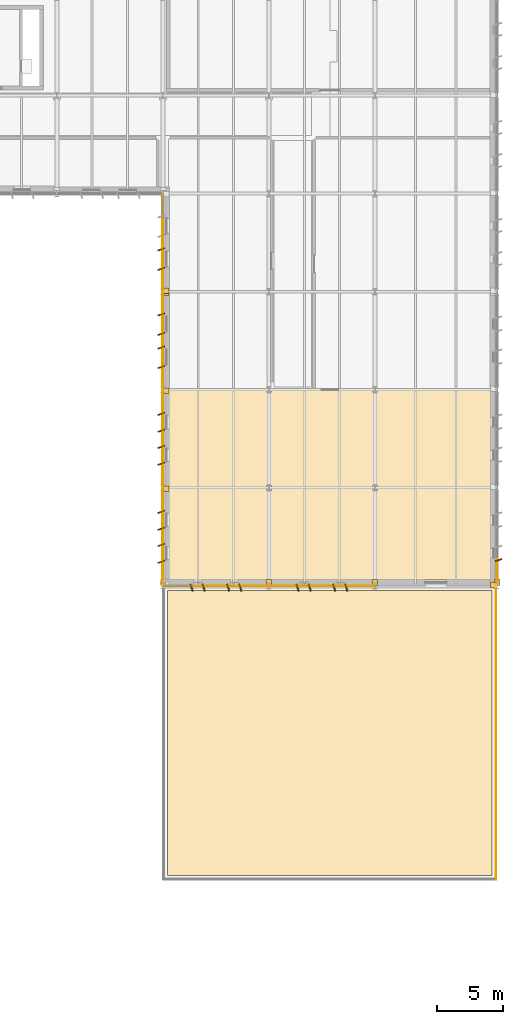
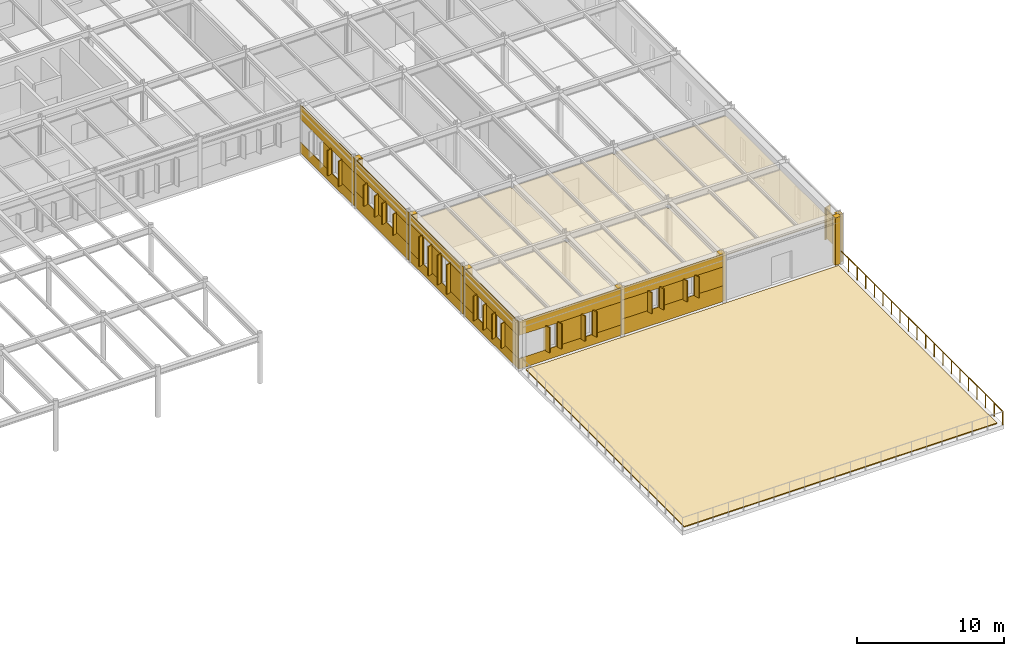
# One storey, part 61 of 63: 62 coverings, 1 railing.
"""IFC4 building model written with IfcOpenShell, lengths in metres."""

import ifcopenshell
import ifcopenshell.guid

model = None  # the IFC model being written
_history = None  # IfcOwnerHistory: only IFC2X3 demands one
_inside = {}  # id of a spatial element -> (the spatial element, [elements in it])
_under = {}  # id of a project, library or spatial element -> (it, [spatial elements below it])
_declared = {}  # id of a project -> (the project, [libraries it declares])
_typed = {}  # id of a type object -> (the type object, [elements of that type])
_made_of = {}  # id of a material, layer set ... -> (it, [elements and type objects made of it])


def new_model(schema):
    """Start an empty IFC model of exactly this schema.

    Asked for "IFC4X3", IfcOpenShell would pick the latest addendum, in which some entities
    have other attributes; the version numbers below select the first issue.
    IFC2X3 requires an IfcOwnerHistory on every rooted entity: one is made here for all.
    """
    global model, _history
    if schema == "IFC4X3":
        model = ifcopenshell.file(schema_version=(4, 3, 0, 0))
    else:
        model = ifcopenshell.file(schema=schema)
    _inside.clear()
    _under.clear()
    _declared.clear()
    _typed.clear()
    _made_of.clear()
    _history = None
    if model.schema == "IFC2X3":
        org = make("IfcOrganization", Name="unknown")
        user = make(
            "IfcPersonAndOrganization",
            ThePerson=make("IfcPerson", FamilyName="unknown"),
            TheOrganization=org,
        )
        app = make(
            "IfcApplication",
            ApplicationDeveloper=org,
            Version="unknown",
            ApplicationFullName="unknown",
            ApplicationIdentifier="unknown",
        )
        _history = make(
            "IfcOwnerHistory",
            OwningUser=user,
            OwningApplication=app,
            ChangeAction="ADDED",
            CreationDate=0,
        )
    return model


def make(cls, **values):
    """One entity of the class cls with the attributes given. An attribute that is None is left unset."""
    return model.create_entity(
        cls, **{name: value for name, value in values.items() if value is not None}
    )


def rooted(cls, **values):
    """An entity with a GlobalId (a new one), such as an element, a storey or a relation."""
    return make(cls, GlobalId=ifcopenshell.guid.new(), OwnerHistory=_history, **values)


def si_unit(unit_type, name, prefix=None):
    """IfcSIUnit, for example si_unit("LENGTHUNIT", "METRE", prefix="MILLI")."""
    return make("IfcSIUnit", UnitType=unit_type, Prefix=prefix, Name=name)


def assignment(units):
    """IfcUnitAssignment: the units of a project."""
    return None if units is None else make("IfcUnitAssignment", Units=units)


def point(xyz):
    """IfcCartesianPoint."""
    return None if xyz is None else make("IfcCartesianPoint", Coordinates=xyz)


def direction(xyz):
    """IfcDirection."""
    return None if xyz is None else make("IfcDirection", DirectionRatios=xyz)


def frame(location, z_axis=None, x_axis=None):
    """IfcAxis2Placement3D, a coordinate frame: its origin and axes. An axis left out is left unset."""
    return make(
        "IfcAxis2Placement3D",
        Location=point(location),
        Axis=direction(z_axis),
        RefDirection=direction(x_axis),
    )


def frame_2d(location, x_axis=None):
    """IfcAxis2Placement2D, a coordinate frame in the plane: its origin and x axis."""
    return make(
        "IfcAxis2Placement2D", Location=point(location), RefDirection=direction(x_axis)
    )


def origin():
    """The frame at (0, 0, 0) with its axes left unset."""
    return frame((0.0, 0.0, 0.0))


def origin_2d():
    """The frame at (0, 0) in the plane with its x axis left unset."""
    return frame_2d((0.0, 0.0))


def place(relative_to, where):
    """IfcLocalPlacement: puts the frame where relative to a parent placement (None: the world)."""
    return make(
        "IfcLocalPlacement", PlacementRelTo=relative_to, RelativePlacement=where
    )


def context(
    kind, dimensions, precision=None, world=None, true_north=None, identifier=None
):
    """IfcGeometricRepresentationContext, for example the 3D "Model" context."""
    return make(
        "IfcGeometricRepresentationContext",
        ContextIdentifier=identifier,
        ContextType=kind,
        CoordinateSpaceDimension=dimensions,
        Precision=precision,
        WorldCoordinateSystem=world,
        TrueNorth=true_north,
    )


def subcontext(parent, identifier, kind, view, scale=None):
    """IfcGeometricRepresentationSubContext, for example "Body" below "Model"."""
    return make(
        "IfcGeometricRepresentationSubContext",
        ContextIdentifier=identifier,
        ContextType=kind,
        ParentContext=parent,
        TargetScale=scale,
        TargetView=view,
    )


def project(units=None, contexts=None):
    """IfcProject with its units and contexts."""
    return rooted(
        "IfcProject",
        Name="project",
        RepresentationContexts=contexts,
        UnitsInContext=assignment(units),
    )


def spatial(cls, under=None, at=None, **own):
    """A site, building, storey or space (cls), placed at a placement, below another one or the project."""
    s = rooted(cls, ObjectPlacement=at, **own)
    if under is not None:
        _under.setdefault(under.id(), (under, []))[1].append(s)
    return s


def polyline(points):
    """IfcPolyline through the points."""
    return make("IfcPolyline", Points=[point(p) for p in points])


def profile(cls, at=None, kind="AREA", **sizes):
    """A parametric profile (cls). Its sizes go by their IFC names, for example OverallWidth=200.0."""
    return make(cls, ProfileType=kind, Position=at, **sizes)


def rectangle(**sizes):
    """IfcRectangleProfileDef."""
    return profile("IfcRectangleProfileDef", **sizes)


def circle(**sizes):
    """IfcCircleProfileDef."""
    return profile("IfcCircleProfileDef", **sizes)


def outline(outer, holes=None, kind="AREA"):
    """IfcArbitraryClosedProfileDef: a profile drawn as a closed curve; with holes, ...WithVoids."""
    if holes is None:
        return make("IfcArbitraryClosedProfileDef", ProfileType=kind, OuterCurve=outer)
    return make(
        "IfcArbitraryProfileDefWithVoids",
        ProfileType=kind,
        OuterCurve=outer,
        InnerCurves=holes,
    )


def extrude(swept, where, along, depth):
    """IfcExtrudedAreaSolid: the profile swept, set in the frame where, extruded along a direction by depth."""
    return make(
        "IfcExtrudedAreaSolid",
        SweptArea=swept,
        Position=where,
        ExtrudedDirection=direction(along),
        Depth=depth,
    )


def shape(context_of_items, identifier, shape_type, items):
    """IfcShapeRepresentation: the items that make up one representation, for example the "Body"."""
    return make(
        "IfcShapeRepresentation",
        ContextOfItems=context_of_items,
        RepresentationIdentifier=identifier,
        RepresentationType=shape_type,
        Items=items,
    )


def material(Name=None, Category=None):
    """IfcMaterial."""
    return make("IfcMaterial", Name=Name, Category=Category)


def layer(
    of_material, thickness, ventilated=None, Name=None, Category=None, Priority=None
):
    """IfcMaterialLayer: one layer of a wall or slab, of a material (None: an air gap)."""
    return make(
        "IfcMaterialLayer",
        Material=of_material,
        LayerThickness=thickness,
        IsVentilated=ventilated,
        Name=Name,
        Category=Category,
        Priority=Priority,
    )


def layer_set(layers, Name=None):
    """IfcMaterialLayerSet."""
    return make("IfcMaterialLayerSet", MaterialLayers=layers, LayerSetName=Name)


def made_of(thing, what):
    """Note that an element or type object is made of a material, layer set ...; save() writes the relation."""
    if what is not None:
        _made_of.setdefault(what.id(), (what, []))[1].append(thing)
    return thing


def type_object(cls, material=None, **own):
    """A type object (cls), such as IfcWallType, which elements share."""
    return made_of(rooted(cls, **own), material)


def element(
    cls,
    number,
    at=None,
    inside=None,
    cuts=None,
    type_object=None,
    material=None,
    context=None,
    identifier="Body",
    shape_type=None,
    held_by="IfcProductDefinitionShape",
    body=None,
    shapes=None,
    **own,
):
    """One element of the class cls, such as IfcWall. Its Tag is "e" and its number.

    at: its placement. inside: the storey or other place that contains it. cuts: it is an
    opening in that element (IfcRelVoidsElement). A single representation is given by context,
    identifier, shape_type and body (its items); several are given by shapes. held_by: the class
    of the entity that holds the representations. save() writes the other relations.
    """
    e = rooted(cls, Tag="e%d" % number, ObjectPlacement=at, **own)
    if body is not None:
        shapes = [shape(context, identifier, shape_type, body)]
    if shapes is not None:
        e.Representation = make(held_by, Representations=shapes)
    if inside is not None:
        _inside.setdefault(inside.id(), (inside, []))[1].append(e)
    if cuts is not None:
        rooted(
            "IfcRelVoidsElement", RelatingBuildingElement=cuts, RelatedOpeningElement=e
        )
    if type_object is not None:
        _typed.setdefault(type_object.id(), (type_object, []))[1].append(e)
    return made_of(e, material)


def aggregate(whole, parts):
    """IfcRelAggregates: a whole, such as a stair, and the parts it consists of."""
    return rooted("IfcRelAggregates", RelatingObject=whole, RelatedObjects=parts)


def save(model, path):
    """Write the relations noted so far, then the file.

    IfcRelAggregates (storeys below a building ...), IfcRelContainedInSpatialStructure (elements
    in a storey), IfcRelDefinesByType, IfcRelAssociatesMaterial and IfcRelDeclares: one each for
    every whole, place, type object, material and project.
    """
    for whole, parts in _under.values():
        aggregate(whole, parts)
    for where, things in _inside.values():
        rooted(
            "IfcRelContainedInSpatialStructure",
            RelatedElements=things,
            RelatingStructure=where,
        )
    for kind, things in _typed.values():
        rooted("IfcRelDefinesByType", RelatedObjects=things, RelatingType=kind)
    for what, things in _made_of.values():
        rooted("IfcRelAssociatesMaterial", RelatedObjects=things, RelatingMaterial=what)
    for by, libraries in _declared.values():
        rooted("IfcRelDeclares", RelatingContext=by, RelatedDefinitions=libraries)
    model.write(path)


model = new_model("IFC4")

# Units and contexts
model_context = context("Model", 3, precision=1e-05, world=origin(), true_north=direction((0.0, 1.0)))
body_context = subcontext(model_context, "Body", "Model", "MODEL_VIEW")
ifc_project = project(units=[si_unit("LENGTHUNIT", "METRE"), si_unit("AREAUNIT", "SQUARE_METRE"), si_unit("VOLUMEUNIT", "CUBIC_METRE"), si_unit("PLANEANGLEUNIT", "RADIAN"), si_unit("MASSUNIT", "GRAM", prefix="KILO")], contexts=[model_context])

# Site, building, storey
site_placement = place(None, origin())
site = spatial("IfcSite", under=ifc_project, at=site_placement, CompositionType="ELEMENT")
building_placement = place(site_placement, origin())
building = spatial("IfcBuilding", under=site, at=building_placement, Name="Valkorina Park Police Headquarters", CompositionType="ELEMENT")
storey_placement = place(building_placement, frame((0.0, 0.0, 9.89990234375)))
storey = spatial("IfcBuildingStorey", under=building, at=storey_placement, Name="L03", CompositionType="ELEMENT", Elevation=9.89990234375)

# Coverings
ifc_material_1 = material(Name="Acoustic mineral board")
ifc_layer_1 = layer(ifc_material_1, 0.02490234375)
ifc_layer_set_1 = layer_set([ifc_layer_1], Name="Acoustic mineral board")
covering_type_1 = type_object("IfcCoveringType", Name="COV-CEILING-ACOUST", PredefinedType="CEILING", material=ifc_layer_set_1)
covering_1_placement = place(storey_placement, frame((0.0, 0.0, 3.34521484375)))
element("IfcCovering", 1, at=covering_1_placement, inside=storey, type_object=covering_type_1, Name="QAS Pre-PCR DNA Extraction Clean Lab Acoustic Suspended Ceiling", PredefinedType="CEILING", context=body_context, shape_type="SweptSolid", body=[
    extrude(outline(polyline([(161.55859375, 30.1044921875), (161.5595703125, 30.1123046875), (161.56005859375, 30.1201171875), (161.56005859375, 44.280029296875), (161.5595703125, 44.287841796875), (161.55859375, 44.295654296875), (161.556640625, 44.30322265625), (161.553955078125, 44.310546875), (161.550537109375, 44.317626953125), (161.54638671875, 44.324462890625), (161.541748046875, 44.330810546875), (161.53662109375, 44.336669921875), (161.53076171875, 44.341796875), (161.5244140625, 44.346435546875), (161.517578125, 44.3505859375), (161.510498046875, 44.35400390625), (161.503173828125, 44.356689453125), (161.49560546875, 44.3583984375), (161.48779296875, 44.359619140625), (161.47998046875, 44.360107421875), (152.989990234375, 44.360107421875), (152.982177734375, 44.359619140625), (152.974365234375, 44.3583984375), (152.966796875, 44.356689453125), (152.95947265625, 44.35400390625), (152.952392578125, 44.3505859375), (152.949951171875, 44.34912109375), (152.949951171875, 44.175048828125), (152.64990234375, 44.175048828125), (152.64990234375, 44.34912109375), (152.647705078125, 44.3505859375), (152.640625, 44.35400390625), (152.63330078125, 44.356689453125), (152.62548828125, 44.3583984375), (152.617919921875, 44.359619140625), (152.610107421875, 44.360107421875), (144.989990234375, 44.360107421875), (144.982177734375, 44.359619140625), (144.974365234375, 44.3583984375), (144.966796875, 44.356689453125), (144.95947265625, 44.35400390625), (144.952392578125, 44.3505859375), (144.949951171875, 44.34912109375), (144.949951171875, 44.175048828125), (144.64990234375, 44.175048828125), (144.64990234375, 44.34912109375), (144.647705078125, 44.3505859375), (144.640625, 44.35400390625), (144.63330078125, 44.356689453125), (144.62548828125, 44.3583984375), (144.617919921875, 44.359619140625), (144.610107421875, 44.360107421875), (137.320068359375, 44.360107421875), (137.312255859375, 44.359619140625), (137.304443359375, 44.3583984375), (137.296875, 44.356689453125), (137.289306640625, 44.35400390625), (137.2822265625, 44.3505859375), (137.275634765625, 44.346435546875), (137.269287109375, 44.341796875), (137.263427734375, 44.336669921875), (137.25830078125, 44.330810546875), (137.25341796875, 44.324462890625), (137.24951171875, 44.317626953125), (137.24609375, 44.310546875), (137.243408203125, 44.30322265625), (137.241455078125, 44.295654296875), (137.240478515625, 44.287841796875), (137.239990234375, 44.280029296875), (137.239990234375, 30.1201171875), (137.240478515625, 30.1123046875), (137.241455078125, 30.1044921875), (137.243408203125, 30.0966796875), (137.24609375, 30.08935546875), (137.24951171875, 30.082275390625), (137.25341796875, 30.07568359375), (137.25830078125, 30.069091796875), (137.263427734375, 30.0634765625), (137.269287109375, 30.05810546875), (137.275634765625, 30.053466796875), (137.2822265625, 30.04931640625), (137.289306640625, 30.046142578125), (137.296875, 30.04345703125), (137.304443359375, 30.04150390625), (137.312255859375, 30.040283203125), (137.320068359375, 30.0400390625), (161.47998046875, 30.0400390625), (161.48779296875, 30.040283203125), (161.49560546875, 30.04150390625), (161.503173828125, 30.04345703125), (161.510498046875, 30.046142578125), (161.517578125, 30.04931640625), (161.5244140625, 30.053466796875), (161.53076171875, 30.05810546875), (161.53662109375, 30.0634765625), (161.541748046875, 30.069091796875), (161.54638671875, 30.07568359375), (161.550537109375, 30.082275390625), (161.553955078125, 30.08935546875), (161.556640625, 30.0966796875), (161.55859375, 30.1044921875)]), holes=[polyline([(152.949951171875, 37.22509765625), (152.949951171875, 36.77490234375), (152.64990234375, 36.77490234375), (152.64990234375, 37.22509765625), (152.949951171875, 37.22509765625)]), polyline([(144.949951171875, 37.22509765625), (144.949951171875, 36.77490234375), (144.64990234375, 36.77490234375), (144.64990234375, 37.22509765625), (144.949951171875, 37.22509765625)])]), origin(), (0.0, 0.0, 1.0), 0.02490234375),
])
ifc_material_2 = material(Name="Precast concrete C40/50", Category="concrete")
ifc_layer_2 = layer(ifc_material_2, 0.044921875)
ifc_layer_set_2 = layer_set([ifc_layer_2], Name="Precast concrete C40/50")
covering_type_2 = type_object("IfcCoveringType", Name="COV-CLAD-DOLOMITE", PredefinedType="CLADDING", material=ifc_layer_set_2)
covering_2_placement = place(storey_placement, frame((161.75, 29.6650390625, 0.000244140625), z_axis=(0.0, 0.0, 1.0), x_axis=(0.0, 1.0, 0.0)))
element("IfcCovering", 2, at=covering_2_placement, inside=storey, type_object=covering_type_2, Name="L03 Exterior Joint Closure Pilaster B 1969", PredefinedType="CLADDING", context=body_context, shape_type="SweptSolid", body=[
    extrude(rectangle(XDim=0.419921875, YDim=0.449951171875, at=origin_2d()), origin(), (0.0, 0.0, 1.0), 3.919921875),
])
covering_3_placement = place(storey_placement, frame((162.1201171875, 31.54248046875, 0.7802734375), z_axis=(0.0, 0.0, 1.0), x_axis=(0.948323655206, 0.317304656405, 0.0)))
element("IfcCovering", 3, at=covering_3_placement, inside=storey, type_object=covering_type_2, Name="Slanted 18.5-deg Precast Window Slot Fin 1973", PredefinedType="CLADDING", context=body_context, shape_type="SweptSolid", body=[
    extrude(rectangle(XDim=0.5400390625, YDim=0.090087890625, at=origin_2d()), origin(), (0.0, 0.0, 1.0), 2.639892578125),
])
covering_4_placement = place(storey_placement, frame((162.014892578125, 31.652587890625, 0.8701171875), z_axis=(0.0, 0.0, 1.0), x_axis=(0.0, -1.0, 0.0)))
element("IfcCovering", 4, at=covering_4_placement, inside=storey, type_object=covering_type_2, Name="L03 Calm Concrete Base Slot Pier 1978", PredefinedType="CLADDING", context=body_context, shape_type="SweptSolid", body=[
    extrude(rectangle(XDim=2.032470703125, YDim=0.044921875, at=frame_2d((1.01611328125, 0.0))), origin(), (0.0, 0.0, 1.0), 2.4599609375),
])
for number, where, z_axis, x_axis, name in (
    (5, (162.010009765625, 29.85009765625, 0.000244140625), (0.0, 0.0, 1.0), (1.0, 0.0, 0.0), "L03 Exterior Joint Closure Pilaster A 1979"),
    (6, (152.7900390625, 29.85009765625, 0.000244140625), (0.0, 0.0, 1.0), (1.0, 0.0, 0.0), "L03 Exterior Joint Closure Pilaster B 1980"),
    (7, (144.7900390625, 29.85009765625, 0.000244140625), (0.0, 0.0, 1.0), (1.0, 0.0, 0.0), "L03 Exterior Joint Closure Pilaster B 1981"),
):
    element("IfcCovering", number, at=place(storey_placement, frame(where, z_axis=z_axis, x_axis=x_axis)), inside=storey, type_object=covering_type_2, Name=name, PredefinedType="CLADDING", context=body_context, shape_type="SweptSolid", body=[
        extrude(rectangle(XDim=0.419921875, YDim=0.449951171875, at=origin_2d()), origin(), (0.0, 0.0, 1.0), 3.919921875),
    ])
for number, where, z_axis, x_axis, name in (
    (8, (150.642333984375, 29.47998046875, 1.22998046875), (0.0, 0.0, 1.0), (0.317304656405, -0.948323655206, 0.0), "Slanted 18.5-deg Precast Window Slot Fin 1982"),
    (9, (149.722412109375, 29.47998046875, 1.22998046875), (0.0, 0.0, 1.0), (0.317304656405, -0.948323655206, 0.0), "Slanted 18.5-deg Precast Window Slot Fin 1983"),
    (10, (147.877685546875, 29.47998046875, 1.22998046875), (0.0, 0.0, 1.0), (0.317304656405, -0.948323655206, 0.0), "Slanted 18.5-deg Precast Window Slot Fin 1984"),
    (11, (146.95751953125, 29.47998046875, 1.22998046875), (0.0, 0.0, 1.0), (0.317304656405, -0.948323655206, 0.0), "Slanted 18.5-deg Precast Window Slot Fin 1985"),
):
    element("IfcCovering", number, at=place(storey_placement, frame(where, z_axis=z_axis, x_axis=x_axis)), inside=storey, type_object=covering_type_2, Name=name, PredefinedType="CLADDING", context=body_context, shape_type="SweptSolid", body=[
        extrude(rectangle(XDim=0.5400390625, YDim=0.090087890625, at=origin_2d()), origin(), (0.0, 0.0, 1.0), 1.739990234375),
    ])
covering_5_placement = place(storey_placement, frame((152.780029296875, 29.5849609375, 0.0), z_axis=(0.0, 0.0, 1.0), x_axis=(-1.0, 0.0, 0.0)))
element("IfcCovering", 12, at=covering_5_placement, inside=storey, type_object=covering_type_2, Name="L03 Calm Concrete Base Sill Spandrel 1986", PredefinedType="CLADDING", context=body_context, shape_type="SweptSolid", body=[
    extrude(rectangle(XDim=7.9599609375, YDim=0.044921875, at=frame_2d((3.97998046875, 0.0))), origin(), (0.0, 0.0, 1.0), 1.320068359375),
])
covering_6_placement = place(storey_placement, frame((152.780029296875, 29.5849609375, 2.880126953125), z_axis=(0.0, 0.0, 1.0), x_axis=(-1.0, 0.0, 0.0)))
element("IfcCovering", 13, at=covering_6_placement, inside=storey, type_object=covering_type_2, Name="L03 Calm Concrete Base Lintel Spandrel 1987", PredefinedType="CLADDING", context=body_context, shape_type="SweptSolid", body=[
    extrude(rectangle(XDim=7.9599609375, YDim=0.044921875, at=frame_2d((3.97998046875, 0.0))), origin(), (0.0, 0.0, 1.0), 1.0400390625),
])
covering_7_placement = place(storey_placement, frame((152.780029296875, 29.5849609375, 1.320068359375), z_axis=(0.0, 0.0, 1.0), x_axis=(-1.0, 0.0, 0.0)))
element("IfcCovering", 14, at=covering_7_placement, inside=storey, type_object=covering_type_2, Name="L03 Calm Concrete Base Slot Pier 1988", PredefinedType="CLADDING", context=body_context, shape_type="SweptSolid", body=[
    extrude(rectangle(XDim=2.24755859375, YDim=0.044921875, at=frame_2d((1.123779296875, 0.0))), origin(), (0.0, 0.0, 1.0), 1.56005859375),
])
covering_8_placement = place(storey_placement, frame((149.83251953125, 29.5849609375, 1.320068359375), z_axis=(0.0, 0.0, 1.0), x_axis=(-1.0, 0.0, 0.0)))
element("IfcCovering", 15, at=covering_8_placement, inside=storey, type_object=covering_type_2, Name="L03 Calm Concrete Base Slot Pier 1989", PredefinedType="CLADDING", context=body_context, shape_type="SweptSolid", body=[
    extrude(rectangle(XDim=2.06494140625, YDim=0.044921875, at=frame_2d((1.032470703125, 0.0))), origin(), (0.0, 0.0, 1.0), 1.56005859375),
])
covering_9_placement = place(storey_placement, frame((147.067626953125, 29.5849609375, 1.320068359375), z_axis=(0.0, 0.0, 1.0), x_axis=(-1.0, 0.0, 0.0)))
element("IfcCovering", 16, at=covering_9_placement, inside=storey, type_object=covering_type_2, Name="L03 Calm Concrete Base Slot Pier 1990", PredefinedType="CLADDING", context=body_context, shape_type="SweptSolid", body=[
    extrude(rectangle(XDim=2.24755859375, YDim=0.044921875, at=frame_2d((1.123779296875, 0.0))), origin(), (0.0, 0.0, 1.0), 1.56005859375),
])
for number, where, z_axis, x_axis, name in (
    (17, (142.642333984375, 29.47998046875, 0.7802734375), (0.0, 0.0, 1.0), (0.317304656405, -0.948323655206, 0.0), "Slanted 18.5-deg Precast Window Slot Fin 1992"),
    (18, (141.722412109375, 29.47998046875, 0.7802734375), (0.0, 0.0, 1.0), (0.317304656405, -0.948323655206, 0.0), "Slanted 18.5-deg Precast Window Slot Fin 1993"),
    (19, (139.877685546875, 29.47998046875, 0.7802734375), (0.0, 0.0, 1.0), (0.317304656405, -0.948323655206, 0.0), "Slanted 18.5-deg Precast Window Slot Fin 1994"),
    (20, (138.95751953125, 29.47998046875, 0.7802734375), (0.0, 0.0, 1.0), (0.317304656405, -0.948323655206, 0.0), "Slanted 18.5-deg Precast Window Slot Fin 1995"),
):
    element("IfcCovering", number, at=place(storey_placement, frame(where, z_axis=z_axis, x_axis=x_axis)), inside=storey, type_object=covering_type_2, Name=name, PredefinedType="CLADDING", context=body_context, shape_type="SweptSolid", body=[
        extrude(rectangle(XDim=0.5400390625, YDim=0.090087890625, at=origin_2d()), origin(), (0.0, 0.0, 1.0), 2.090087890625),
    ])
covering_10_placement = place(storey_placement, frame((144.780029296875, 29.5849609375, 0.0), z_axis=(0.0, 0.0, 1.0), x_axis=(-1.0, 0.0, 0.0)))
element("IfcCovering", 21, at=covering_10_placement, inside=storey, type_object=covering_type_2, Name="L03 Calm Concrete Base Sill Spandrel 1996", PredefinedType="CLADDING", context=body_context, shape_type="SweptSolid", body=[
    extrude(rectangle(XDim=7.9599609375, YDim=0.044921875, at=frame_2d((3.97998046875, 0.0))), origin(), (0.0, 0.0, 1.0), 0.8701171875),
])
covering_11_placement = place(storey_placement, frame((144.780029296875, 29.5849609375, 2.780029296875), z_axis=(0.0, 0.0, 1.0), x_axis=(-1.0, 0.0, 0.0)))
element("IfcCovering", 22, at=covering_11_placement, inside=storey, type_object=covering_type_2, Name="L03 Calm Concrete Base Lintel Spandrel 1997", PredefinedType="CLADDING", context=body_context, shape_type="SweptSolid", body=[
    extrude(rectangle(XDim=7.9599609375, YDim=0.044921875, at=frame_2d((3.97998046875, 0.0))), origin(), (0.0, 0.0, 1.0), 1.14013671875),
])
covering_12_placement = place(storey_placement, frame((144.780029296875, 29.5849609375, 0.8701171875), z_axis=(0.0, 0.0, 1.0), x_axis=(-1.0, 0.0, 0.0)))
element("IfcCovering", 23, at=covering_12_placement, inside=storey, type_object=covering_type_2, Name="L03 Calm Concrete Base Slot Pier 1998", PredefinedType="CLADDING", context=body_context, shape_type="SweptSolid", body=[
    extrude(rectangle(XDim=2.24755859375, YDim=0.044921875, at=frame_2d((1.123779296875, 0.0))), origin(), (0.0, 0.0, 1.0), 1.909912109375),
])
covering_13_placement = place(storey_placement, frame((141.83251953125, 29.5849609375, 0.8701171875), z_axis=(0.0, 0.0, 1.0), x_axis=(-1.0, 0.0, 0.0)))
element("IfcCovering", 24, at=covering_13_placement, inside=storey, type_object=covering_type_2, Name="L03 Calm Concrete Base Slot Pier 1999", PredefinedType="CLADDING", context=body_context, shape_type="SweptSolid", body=[
    extrude(rectangle(XDim=2.06494140625, YDim=0.044921875, at=frame_2d((1.032470703125, 0.0))), origin(), (0.0, 0.0, 1.0), 1.909912109375),
])
covering_14_placement = place(storey_placement, frame((137.050048828125, 36.93505859375, 0.000244140625), z_axis=(0.0, 0.0, 1.0), x_axis=(0.0, 1.0, 0.0)))
element("IfcCovering", 25, at=covering_14_placement, inside=storey, type_object=covering_type_2, Name="L03 Exterior Joint Closure Pilaster B 2002", PredefinedType="CLADDING", context=body_context, shape_type="SweptSolid", body=[
    extrude(rectangle(XDim=0.419921875, YDim=0.449951171875, at=origin_2d()), origin(), (0.0, 0.0, 1.0), 3.919921875),
])
for number, where, z_axis, x_axis, name in (
    (26, (136.679931640625, 31.41748046875, 0.780029296875), (0.0, 0.0, 1.0), (-0.948323655206, -0.317304656405, 0.0), "Slanted 18.5-deg Precast Window Slot Fin 2003"),
    (27, (136.679931640625, 32.6875, 0.780029296875), (0.0, 0.0, 1.0), (-0.948323655206, -0.317304656405, 0.0), "Slanted 18.5-deg Precast Window Slot Fin 2004"),
    (28, (136.679931640625, 33.912353515625, 0.780029296875), (0.0, 0.0, 1.0), (-0.948323655206, -0.317304656405, 0.0), "Slanted 18.5-deg Precast Window Slot Fin 2005"),
    (29, (136.679931640625, 35.182373046875, 0.780029296875), (0.0, 0.0, 1.0), (-0.948323655206, -0.317304656405, 0.0), "Slanted 18.5-deg Precast Window Slot Fin 2006"),
):
    element("IfcCovering", number, at=place(storey_placement, frame(where, z_axis=z_axis, x_axis=x_axis)), inside=storey, type_object=covering_type_2, Name=name, PredefinedType="CLADDING", context=body_context, shape_type="SweptSolid", body=[
        extrude(rectangle(XDim=0.5400390625, YDim=0.090087890625, at=origin_2d()), origin(), (0.0, 0.0, 1.0), 2.0400390625),
    ])
covering_15_placement = place(storey_placement, frame((136.784912109375, 29.6201171875, 0.0), z_axis=(0.0, 0.0, 1.0), x_axis=(0.0, 1.0, 0.0)))
element("IfcCovering", 30, at=covering_15_placement, inside=storey, type_object=covering_type_2, Name="L03 Calm Concrete Base Sill Spandrel 2007", PredefinedType="CLADDING", context=body_context, shape_type="SweptSolid", body=[
    extrude(rectangle(XDim=7.35986328125, YDim=0.044921875, at=frame_2d((3.679931640625, 0.0))), origin(), (0.0, 0.0, 1.0), 0.8701171875),
])
covering_16_placement = place(storey_placement, frame((136.784912109375, 29.6201171875, 2.72998046875), z_axis=(0.0, 0.0, 1.0), x_axis=(0.0, 1.0, 0.0)))
element("IfcCovering", 31, at=covering_16_placement, inside=storey, type_object=covering_type_2, Name="L03 Calm Concrete Base Lintel Spandrel 2008", PredefinedType="CLADDING", context=body_context, shape_type="SweptSolid", body=[
    extrude(rectangle(XDim=7.35986328125, YDim=0.044921875, at=frame_2d((3.679931640625, 0.0))), origin(), (0.0, 0.0, 1.0), 1.190185546875),
])
covering_17_placement = place(storey_placement, frame((136.784912109375, 29.6201171875, 0.8701171875), z_axis=(0.0, 0.0, 1.0), x_axis=(0.0, 1.0, 0.0)))
element("IfcCovering", 32, at=covering_17_placement, inside=storey, type_object=covering_type_2, Name="L03 Calm Concrete Base Slot Pier 2009", PredefinedType="CLADDING", context=body_context, shape_type="SweptSolid", body=[
    extrude(rectangle(XDim=1.907470703125, YDim=0.044921875, at=frame_2d((0.95361328125, 0.0))), origin(), (0.0, 0.0, 1.0), 1.85986328125),
])
covering_18_placement = place(storey_placement, frame((136.784912109375, 32.57763671875, 0.8701171875), z_axis=(0.0, 0.0, 1.0), x_axis=(0.0, 1.0, 0.0)))
element("IfcCovering", 33, at=covering_18_placement, inside=storey, type_object=covering_type_2, Name="L03 Calm Concrete Base Slot Pier 2010", PredefinedType="CLADDING", context=body_context, shape_type="SweptSolid", body=[
    extrude(rectangle(XDim=1.44482421875, YDim=0.044921875, at=frame_2d((0.722412109375, 0.0))), origin(), (0.0, 0.0, 1.0), 1.85986328125),
])
covering_19_placement = place(storey_placement, frame((136.784912109375, 35.072509765625, 0.8701171875), z_axis=(0.0, 0.0, 1.0), x_axis=(0.0, 1.0, 0.0)))
element("IfcCovering", 34, at=covering_19_placement, inside=storey, type_object=covering_type_2, Name="L03 Calm Concrete Base Slot Pier 2011", PredefinedType="CLADDING", context=body_context, shape_type="SweptSolid", body=[
    extrude(rectangle(XDim=1.907470703125, YDim=0.044921875, at=frame_2d((0.95361328125, 0.0))), origin(), (0.0, 0.0, 1.0), 1.85986328125),
])
covering_20_placement = place(storey_placement, frame((137.050048828125, 44.3349609375, 0.000244140625), z_axis=(0.0, 0.0, 1.0), x_axis=(0.0, 1.0, 0.0)))
element("IfcCovering", 35, at=covering_20_placement, inside=storey, type_object=covering_type_2, Name="L03 Exterior Joint Closure Pilaster B 2012", PredefinedType="CLADDING", context=body_context, shape_type="SweptSolid", body=[
    extrude(rectangle(XDim=0.419921875, YDim=0.449951171875, at=origin_2d()), origin(), (0.0, 0.0, 1.0), 3.919921875),
])
for number, where, z_axis, x_axis, name in (
    (36, (136.679931640625, 38.817626953125, 0.780029296875), (0.0, 0.0, 1.0), (-0.948323655206, -0.317304656405, 0.0), "Slanted 18.5-deg Precast Window Slot Fin 2013"),
    (37, (136.679931640625, 40.087646484375, 0.780029296875), (0.0, 0.0, 1.0), (-0.948323655206, -0.317304656405, 0.0), "Slanted 18.5-deg Precast Window Slot Fin 2014"),
    (38, (136.679931640625, 41.3125, 0.780029296875), (0.0, 0.0, 1.0), (-0.948323655206, -0.317304656405, 0.0), "Slanted 18.5-deg Precast Window Slot Fin 2015"),
    (39, (136.679931640625, 42.58251953125, 0.780029296875), (0.0, 0.0, 1.0), (-0.948323655206, -0.317304656405, 0.0), "Slanted 18.5-deg Precast Window Slot Fin 2016"),
):
    element("IfcCovering", number, at=place(storey_placement, frame(where, z_axis=z_axis, x_axis=x_axis)), inside=storey, type_object=covering_type_2, Name=name, PredefinedType="CLADDING", context=body_context, shape_type="SweptSolid", body=[
        extrude(rectangle(XDim=0.5400390625, YDim=0.090087890625, at=origin_2d()), origin(), (0.0, 0.0, 1.0), 2.43994140625),
    ])
covering_21_placement = place(storey_placement, frame((136.784912109375, 37.02001953125, 0.0), z_axis=(0.0, 0.0, 1.0), x_axis=(0.0, 1.0, 0.0)))
element("IfcCovering", 40, at=covering_21_placement, inside=storey, type_object=covering_type_2, Name="L03 Calm Concrete Base Sill Spandrel 2017", PredefinedType="CLADDING", context=body_context, shape_type="SweptSolid", body=[
    extrude(rectangle(XDim=7.35986328125, YDim=0.044921875, at=frame_2d((3.679931640625, 0.0))), origin(), (0.0, 0.0, 1.0), 0.8701171875),
])
covering_22_placement = place(storey_placement, frame((136.784912109375, 37.02001953125, 3.130126953125), z_axis=(0.0, 0.0, 1.0), x_axis=(0.0, 1.0, 0.0)))
element("IfcCovering", 41, at=covering_22_placement, inside=storey, type_object=covering_type_2, Name="L03 Calm Concrete Base Lintel Spandrel 2018", PredefinedType="CLADDING", context=body_context, shape_type="SweptSolid", body=[
    extrude(rectangle(XDim=7.35986328125, YDim=0.044921875, at=frame_2d((3.679931640625, 0.0))), origin(), (0.0, 0.0, 1.0), 0.7900390625),
])
covering_23_placement = place(storey_placement, frame((136.784912109375, 37.02001953125, 0.8701171875), z_axis=(0.0, 0.0, 1.0), x_axis=(0.0, 1.0, 0.0)))
element("IfcCovering", 42, at=covering_23_placement, inside=storey, type_object=covering_type_2, Name="L03 Calm Concrete Base Slot Pier 2019", PredefinedType="CLADDING", context=body_context, shape_type="SweptSolid", body=[
    extrude(rectangle(XDim=1.907470703125, YDim=0.044921875, at=frame_2d((0.95361328125, 0.0))), origin(), (0.0, 0.0, 1.0), 2.260009765625),
])
covering_24_placement = place(storey_placement, frame((136.784912109375, 39.9775390625, 0.8701171875), z_axis=(0.0, 0.0, 1.0), x_axis=(0.0, 1.0, 0.0)))
element("IfcCovering", 43, at=covering_24_placement, inside=storey, type_object=covering_type_2, Name="L03 Calm Concrete Base Slot Pier 2020", PredefinedType="CLADDING", context=body_context, shape_type="SweptSolid", body=[
    extrude(rectangle(XDim=1.44482421875, YDim=0.044921875, at=frame_2d((0.722412109375, 0.0))), origin(), (0.0, 0.0, 1.0), 2.260009765625),
])
covering_25_placement = place(storey_placement, frame((136.784912109375, 42.472412109375, 0.8701171875), z_axis=(0.0, 0.0, 1.0), x_axis=(0.0, 1.0, 0.0)))
element("IfcCovering", 44, at=covering_25_placement, inside=storey, type_object=covering_type_2, Name="L03 Calm Concrete Base Slot Pier 2021", PredefinedType="CLADDING", context=body_context, shape_type="SweptSolid", body=[
    extrude(rectangle(XDim=1.907470703125, YDim=0.044921875, at=frame_2d((0.95361328125, 0.0))), origin(), (0.0, 0.0, 1.0), 2.260009765625),
])
covering_26_placement = place(storey_placement, frame((137.050048828125, 51.735107421875, 0.0), z_axis=(0.0, 0.0, 1.0), x_axis=(0.0, 1.0, 0.0)))
element("IfcCovering", 45, at=covering_26_placement, inside=storey, type_object=covering_type_2, Name="L03 Exterior Joint Closure Pilaster B 2022", PredefinedType="CLADDING", context=body_context, shape_type="SweptSolid", body=[
    extrude(rectangle(XDim=0.419921875, YDim=0.449951171875, at=origin_2d()), origin(), (0.0, 0.0, 1.0), 3.955078125),
])
for number, where, z_axis, x_axis, name in (
    (46, (136.679931640625, 46.11767578125, 1.22998046875), (0.0, 0.0, 1.0), (-0.948323655206, -0.317304656405, 0.0), "Slanted 18.5-deg Precast Window Slot Fin 2023"),
    (47, (136.679931640625, 47.587646484375, 1.22998046875), (0.0, 0.0, 1.0), (-0.948323655206, -0.317304656405, 0.0), "Slanted 18.5-deg Precast Window Slot Fin 2024"),
    (48, (136.679931640625, 48.6123046875, 1.22998046875), (0.0, 0.0, 1.0), (-0.948323655206, -0.317304656405, 0.0), "Slanted 18.5-deg Precast Window Slot Fin 2025"),
    (49, (136.679931640625, 50.08251953125, 1.22998046875), (0.0, 0.0, 1.0), (-0.948323655206, -0.317304656405, 0.0), "Slanted 18.5-deg Precast Window Slot Fin 2026"),
):
    element("IfcCovering", number, at=place(storey_placement, frame(where, z_axis=z_axis, x_axis=x_axis)), inside=storey, type_object=covering_type_2, Name=name, PredefinedType="CLADDING", context=body_context, shape_type="SweptSolid", body=[
        extrude(rectangle(XDim=0.5400390625, YDim=0.090087890625, at=origin_2d()), origin(), (0.0, 0.0, 1.0), 1.739990234375),
    ])
covering_27_placement = place(storey_placement, frame((136.784912109375, 44.419921875, 0.0), z_axis=(0.0, 0.0, 1.0), x_axis=(0.0, 1.0, 0.0)))
element("IfcCovering", 50, at=covering_27_placement, inside=storey, type_object=covering_type_2, Name="L03 Calm Concrete Base Sill Spandrel 2027", PredefinedType="CLADDING", context=body_context, shape_type="SweptSolid", body=[
    extrude(rectangle(XDim=7.360107421875, YDim=0.044921875, at=frame_2d((3.68017578125, 0.0))), origin(), (0.0, 0.0, 1.0), 1.320068359375),
])
covering_28_placement = place(storey_placement, frame((136.784912109375, 44.419921875, 2.880126953125), z_axis=(0.0, 0.0, 1.0), x_axis=(0.0, 1.0, 0.0)))
element("IfcCovering", 51, at=covering_28_placement, inside=storey, type_object=covering_type_2, Name="L03 Calm Concrete Base Lintel Spandrel 2028", PredefinedType="CLADDING", context=body_context, shape_type="SweptSolid", body=[
    extrude(rectangle(XDim=7.360107421875, YDim=0.044921875, at=frame_2d((3.68017578125, 0.0))), origin(), (0.0, 0.0, 1.0), 1.074951171875),
])
covering_29_placement = place(storey_placement, frame((136.784912109375, 44.419921875, 1.320068359375), z_axis=(0.0, 0.0, 1.0), x_axis=(0.0, 1.0, 0.0)))
element("IfcCovering", 52, at=covering_29_placement, inside=storey, type_object=covering_type_2, Name="L03 Calm Concrete Base Slot Pier 2029", PredefinedType="CLADDING", context=body_context, shape_type="SweptSolid", body=[
    extrude(rectangle(XDim=1.8076171875, YDim=0.044921875, at=frame_2d((0.90380859375, 0.0))), origin(), (0.0, 0.0, 1.0), 1.56005859375),
])
covering_30_placement = place(storey_placement, frame((136.784912109375, 47.4775390625, 1.320068359375), z_axis=(0.0, 0.0, 1.0), x_axis=(0.0, 1.0, 0.0)))
element("IfcCovering", 53, at=covering_30_placement, inside=storey, type_object=covering_type_2, Name="L03 Calm Concrete Base Slot Pier 2030", PredefinedType="CLADDING", context=body_context, shape_type="SweptSolid", body=[
    extrude(rectangle(XDim=1.244873046875, YDim=0.044921875, at=frame_2d((0.62255859375, 0.0))), origin(), (0.0, 0.0, 1.0), 1.56005859375),
])
covering_31_placement = place(storey_placement, frame((136.784912109375, 49.972412109375, 1.320068359375), z_axis=(0.0, 0.0, 1.0), x_axis=(0.0, 1.0, 0.0)))
element("IfcCovering", 54, at=covering_31_placement, inside=storey, type_object=covering_type_2, Name="L03 Calm Concrete Base Slot Pier 2031", PredefinedType="CLADDING", context=body_context, shape_type="SweptSolid", body=[
    extrude(rectangle(XDim=1.8076171875, YDim=0.044921875, at=frame_2d((0.90380859375, 0.0))), origin(), (0.0, 0.0, 1.0), 1.56005859375),
])
covering_32_placement = place(storey_placement, frame((137.050048828125, 51.864990234375, 0.0), z_axis=(0.0, 0.0, 1.0), x_axis=(0.0, 1.0, 0.0)))
element("IfcCovering", 55, at=covering_32_placement, inside=storey, type_object=covering_type_2, Name="L03 Exterior Joint Closure Pilaster A 2032", PredefinedType="CLADDING", context=body_context, shape_type="SweptSolid", body=[
    extrude(rectangle(XDim=0.419921875, YDim=0.449951171875, at=origin_2d()), origin(), (0.0, 0.0, 1.0), 3.955078125),
])
for number, where, z_axis, x_axis, name in (
    (56, (136.679931640625, 53.517578125, 0.7802734375), (0.0, 0.0, 1.0), (-0.948323655206, -0.317304656405, 0.0), "Slanted 18.5-deg Precast Window Slot Fin 2034"),
    (57, (136.679931640625, 54.987548828125, 0.7802734375), (0.0, 0.0, 1.0), (-0.948323655206, -0.317304656405, 0.0), "Slanted 18.5-deg Precast Window Slot Fin 2035"),
):
    element("IfcCovering", number, at=place(storey_placement, frame(where, z_axis=z_axis, x_axis=x_axis)), inside=storey, type_object=covering_type_2, Name=name, PredefinedType="CLADDING", context=body_context, shape_type="SweptSolid", body=[
        extrude(rectangle(XDim=0.5400390625, YDim=0.090087890625, at=origin_2d()), origin(), (0.0, 0.0, 1.0), 2.090087890625),
    ])
covering_33_placement = place(storey_placement, frame((136.784912109375, 51.820068359375, 0.0), z_axis=(0.0, 0.0, 1.0), x_axis=(0.0, 1.0, 0.0)))
element("IfcCovering", 58, at=covering_33_placement, inside=storey, type_object=covering_type_2, Name="L03 Calm Concrete Base Sill Spandrel 2038", PredefinedType="CLADDING", context=body_context, shape_type="SweptSolid", body=[
    extrude(rectangle(XDim=7.35986328125, YDim=0.044921875, at=frame_2d((3.679931640625, 0.0))), origin(), (0.0, 0.0, 1.0), 0.8701171875),
])
covering_34_placement = place(storey_placement, frame((136.784912109375, 51.820068359375, 2.780029296875), z_axis=(0.0, 0.0, 1.0), x_axis=(0.0, 1.0, 0.0)))
element("IfcCovering", 59, at=covering_34_placement, inside=storey, type_object=covering_type_2, Name="L03 Calm Concrete Base Lintel Spandrel 2039", PredefinedType="CLADDING", context=body_context, shape_type="SweptSolid", body=[
    extrude(rectangle(XDim=7.35986328125, YDim=0.044921875, at=frame_2d((3.679931640625, 0.0))), origin(), (0.0, 0.0, 1.0), 1.175048828125),
])
covering_35_placement = place(storey_placement, frame((136.784912109375, 51.820068359375, 0.8701171875), z_axis=(0.0, 0.0, 1.0), x_axis=(0.0, 1.0, 0.0)))
element("IfcCovering", 60, at=covering_35_placement, inside=storey, type_object=covering_type_2, Name="L03 Calm Concrete Base Slot Pier 2040", PredefinedType="CLADDING", context=body_context, shape_type="SweptSolid", body=[
    extrude(rectangle(XDim=1.8076171875, YDim=0.044921875, at=frame_2d((0.90380859375, 0.0))), origin(), (0.0, 0.0, 1.0), 1.909912109375),
])
covering_36_placement = place(storey_placement, frame((136.784912109375, 54.877685546875, 0.8701171875), z_axis=(0.0, 0.0, 1.0), x_axis=(0.0, 1.0, 0.0)))
element("IfcCovering", 61, at=covering_36_placement, inside=storey, type_object=covering_type_2, Name="L03 Calm Concrete Base Slot Pier 2041", PredefinedType="CLADDING", context=body_context, shape_type="SweptSolid", body=[
    extrude(rectangle(XDim=1.24462890625, YDim=0.044921875, at=frame_2d((0.622314453125, 0.0))), origin(), (0.0, 0.0, 1.0), 1.909912109375),
])
ifc_material_3 = material(Name="Planted green roof substrate")
ifc_layer_3 = layer(ifc_material_3, 0.080078125)
ifc_layer_set_3 = layer_set([ifc_layer_3], Name="Planted green roof substrate")
covering_type_3 = type_object("IfcCoveringType", Name="COV-ROOF-GREEN", PredefinedType="ROOFING", material=ifc_layer_set_3)
covering_37_placement = place(storey_placement, origin())
element("IfcCovering", 62, at=covering_37_placement, inside=storey, type_object=covering_type_3, Name="L03 Forensic Wing South Terrace Planted Substrate", PredefinedType="ROOFING", context=body_context, shape_type="SweptSolid", body=[
    extrude(outline(polyline([(161.64990234375, 7.75), (161.64990234375, 29.25), (137.14990234375, 29.25), (137.14990234375, 7.75), (161.64990234375, 7.75)])), origin(), (0.0, 0.0, 1.0), 0.080078125),
])

# Railing
ifc_material_4 = material(Name="Stainless steel EN 1.4404", Category="steel")
railing_type = type_object("IfcRailingType", Name="RL-GUARD-EXT-1100", PredefinedType="BALUSTRADE", material=ifc_material_4)
railing_placement = place(storey_placement, frame((161.93994140625, 7.4599609375, 0.0)))
element("IfcRailing", 63, at=railing_placement, inside=storey, type_object=railing_type, Name="TERR-L03-SE Perimeter Balustrade Guard 4", PredefinedType="BALUSTRADE", context=body_context, shape_type="SweptSolid", body=[
    extrude(circle(Radius=0.02392578125, at=origin_2d()), frame((0.0, 0.0, 1.09619140625), z_axis=(0.0, 1.0, 0.0), x_axis=(-1.0, 0.0, 0.0)), (0.0, 0.0, 1.0), 22.080078125),
    extrude(circle(Radius=0.02099609375, at=origin_2d()), origin(), (0.0, 0.0, 1.0), 1.072021484375),
    extrude(circle(Radius=0.02099609375, at=origin_2d()), frame((0.0, 1.162109375, 0.0)), (0.0, 0.0, 1.0), 1.072021484375),
    extrude(circle(Radius=0.02099609375, at=origin_2d()), frame((0.0, 2.32421875, 0.0)), (0.0, 0.0, 1.0), 1.072021484375),
    extrude(circle(Radius=0.02099609375, at=origin_2d()), frame((0.0, 3.486328125, 0.0)), (0.0, 0.0, 1.0), 1.072021484375),
    extrude(circle(Radius=0.02099609375, at=origin_2d()), frame((0.0, 4.6484375, 0.0)), (0.0, 0.0, 1.0), 1.072021484375),
    extrude(circle(Radius=0.02099609375, at=origin_2d()), frame((0.0, 5.810546875, 0.0)), (0.0, 0.0, 1.0), 1.072021484375),
    extrude(circle(Radius=0.02099609375, at=origin_2d()), frame((0.0, 6.97265625, 0.0)), (0.0, 0.0, 1.0), 1.072021484375),
    extrude(circle(Radius=0.02099609375, at=origin_2d()), frame((0.0, 8.134765625, 0.0)), (0.0, 0.0, 1.0), 1.072021484375),
    extrude(circle(Radius=0.02099609375, at=origin_2d()), frame((0.0, 9.296875, 0.0)), (0.0, 0.0, 1.0), 1.072021484375),
    extrude(circle(Radius=0.02099609375, at=origin_2d()), frame((0.0, 10.458984375, 0.0)), (0.0, 0.0, 1.0), 1.072021484375),
    extrude(circle(Radius=0.02099609375, at=origin_2d()), frame((0.0, 11.62109375, 0.0)), (0.0, 0.0, 1.0), 1.072021484375),
    extrude(circle(Radius=0.02099609375, at=origin_2d()), frame((0.0, 12.783203125, 0.0)), (0.0, 0.0, 1.0), 1.072021484375),
    extrude(circle(Radius=0.02099609375, at=origin_2d()), frame((0.0, 13.9453125, 0.0)), (0.0, 0.0, 1.0), 1.072021484375),
    extrude(circle(Radius=0.02099609375, at=origin_2d()), frame((0.0, 15.107421875, 0.0)), (0.0, 0.0, 1.0), 1.072021484375),
    extrude(circle(Radius=0.02099609375, at=origin_2d()), frame((0.0, 16.26953125, 0.0)), (0.0, 0.0, 1.0), 1.072021484375),
    extrude(circle(Radius=0.02099609375, at=origin_2d()), frame((0.0, 17.431640625, 0.0)), (0.0, 0.0, 1.0), 1.072021484375),
    extrude(circle(Radius=0.02099609375, at=origin_2d()), frame((0.0, 18.59375, 0.0)), (0.0, 0.0, 1.0), 1.072021484375),
    extrude(circle(Radius=0.02099609375, at=origin_2d()), frame((0.0, 19.755859375, 0.0)), (0.0, 0.0, 1.0), 1.072021484375),
    extrude(circle(Radius=0.02099609375, at=origin_2d()), frame((0.0, 20.91796875, 0.0)), (0.0, 0.0, 1.0), 1.072021484375),
    extrude(circle(Radius=0.02099609375, at=origin_2d()), frame((0.0, 22.080078125, 0.0)), (0.0, 0.0, 1.0), 1.072021484375),
])

save(model, "model.ifc")
